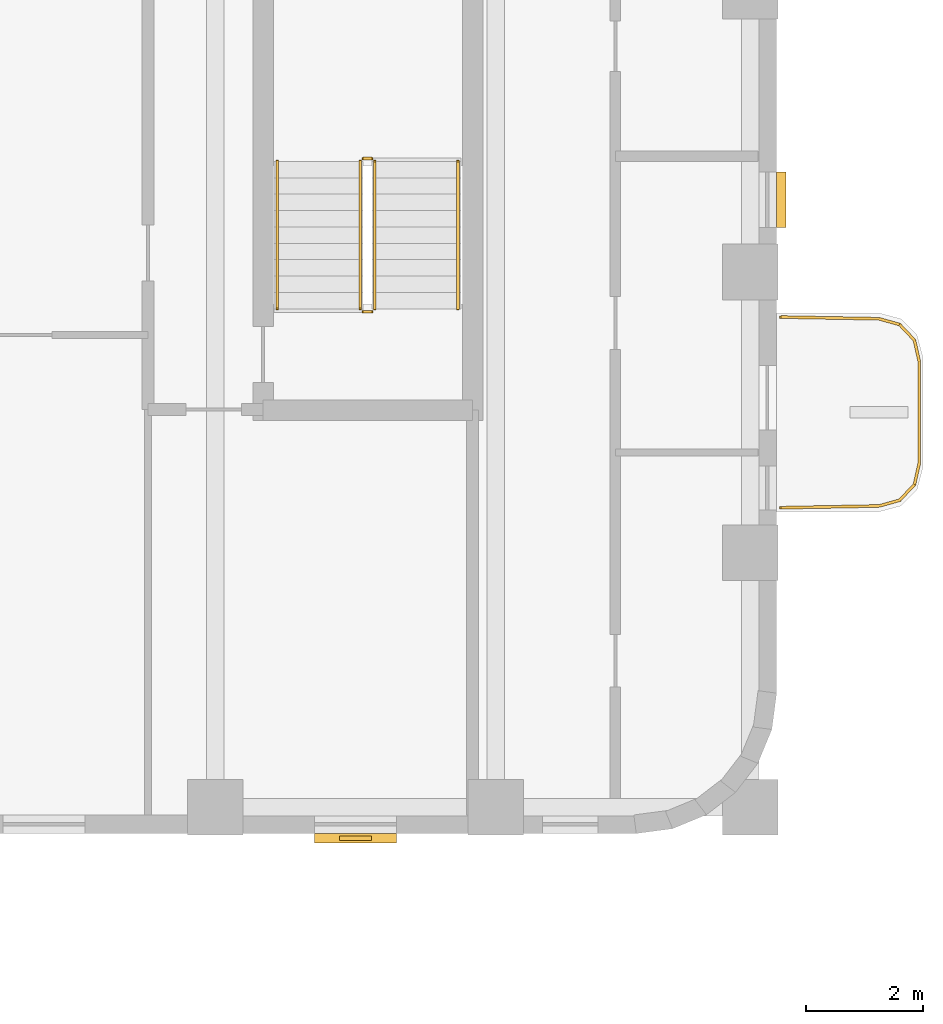
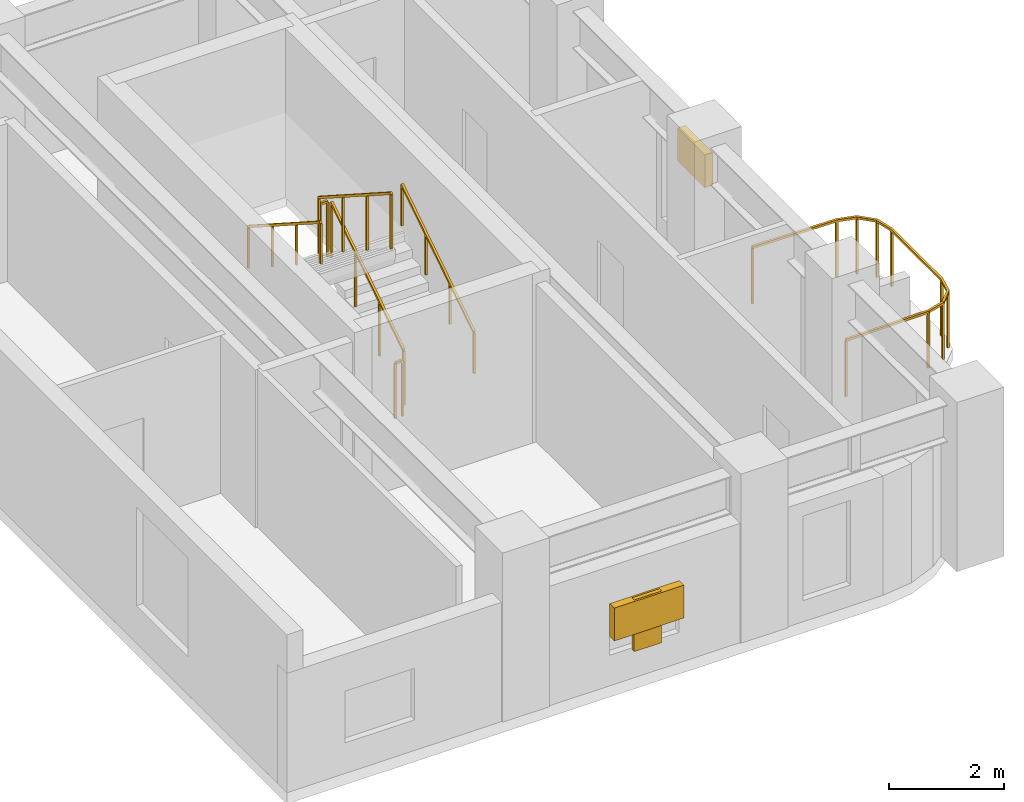
# One storey, part 10 of 11: 7 railings, 3 shading devices.
"""IFC4 building model written with IfcOpenShell, lengths in metres."""

from ifc_helpers import new_model, si_unit, direction, frame, origin, origin_2d, place, context, subcontext, project, spatial, rectangle, extrude, material, type_object, element, save


model = new_model("IFC4")

# Units and contexts
model_context = context("Model", 3, precision=1e-05, world=origin(), true_north=direction((0.0, 1.0)))
body_context = subcontext(model_context, "Body", "Model", "MODEL_VIEW")
ifc_project = project(units=[si_unit("LENGTHUNIT", "METRE"), si_unit("AREAUNIT", "SQUARE_METRE"), si_unit("VOLUMEUNIT", "CUBIC_METRE"), si_unit("PLANEANGLEUNIT", "RADIAN"), si_unit("MASSUNIT", "GRAM", prefix="KILO")], contexts=[model_context])

# Site, building, storey
site_placement = place(None, origin())
site = spatial("IfcSite", under=ifc_project, at=site_placement, CompositionType="ELEMENT")
building_placement = place(site_placement, origin())
building = spatial("IfcBuilding", under=site, at=building_placement, Name="Orvandelia Arch Residences", CompositionType="ELEMENT")
storey_placement = place(building_placement, frame((0.0, 0.0, 157.60009765625)))
storey = spatial("IfcBuildingStorey", under=building, at=storey_placement, Name="L41", CompositionType="ELEMENT", Elevation=157.60009765625)

# Railings
ifc_material_1 = material(Name="Marine-Grade Stainless Steel 316", Category="steel")
railing_type_1 = type_object("IfcRailingType", Name="GRD-BAL-1200", PredefinedType="BALUSTRADE", material=ifc_material_1)
railing_1_placement = place(storey_placement, frame((52.871826171875, 34.36962890625, 0.0)))
element("IfcRailing", 1, at=railing_1_placement, inside=storey, type_object=railing_type_1, Name="Safety Balustrade Guard GRD-L41-BAL-L41-E1-1", PredefinedType="BALUSTRADE", context=body_context, shape_type="SweptSolid", body=[
    extrude(rectangle(XDim=0.048095703125, YDim=0.048095703125, at=origin_2d()), frame((0.0, 0.0, 1.19580078125), z_axis=(0.999837384468, 0.018033430643, 0.0), x_axis=(-0.018033430643, 0.999837384468, 0.0)), (0.0, 0.0, 1.0), 1.6787109375),
    extrude(rectangle(XDim=0.048095703125, YDim=0.048095703125, at=origin_2d()), frame((1.678466796875, 0.0302734375, 1.19580078125), z_axis=(0.96348920644, 0.267747173792, 0.0), x_axis=(-0.267747173792, 0.96348920644, 0.0)), (0.0, 0.0, 1.0), 0.36572265625),
    extrude(rectangle(XDim=0.048095703125, YDim=0.048095703125, at=origin_2d()), frame((2.03076171875, 0.128173828125, 1.19580078125), z_axis=(0.687947031175, 0.725760898848, 0.0), x_axis=(-0.725760898848, 0.687947031175, 0.0)), (0.0, 0.0, 1.0), 0.367919921875),
    extrude(rectangle(XDim=0.048095703125, YDim=0.048095703125, at=origin_2d()), frame((2.283935546875, 0.395263671875, 1.19580078125), z_axis=(0.221225034864, 0.975222786828, 0.0), x_axis=(-0.975222786828, 0.221225034864, 0.0)), (0.0, 0.0, 1.0), 0.373046875),
    extrude(rectangle(XDim=0.048095703125, YDim=0.048095703125, at=origin_2d()), frame((2.366455078125, 0.759033203125, 1.19580078125), z_axis=(0.0, 1.0, 0.0), x_axis=(-1.0, 0.0, 0.0)), (0.0, 0.0, 1.0), 1.74267578125),
    extrude(rectangle(XDim=0.048095703125, YDim=0.048095703125, at=origin_2d()), frame((2.366455078125, 2.501708984375, 1.19580078125), z_axis=(-0.221225034864, 0.975222786828, 0.0), x_axis=(-0.975222786828, -0.221225034864, 0.0)), (0.0, 0.0, 1.0), 0.373046875),
    extrude(rectangle(XDim=0.048095703125, YDim=0.048095703125, at=origin_2d()), frame((2.283935546875, 2.865478515625, 1.19580078125), z_axis=(-0.687947031175, 0.725760898848, 0.0), x_axis=(-0.725760898848, -0.687947031175, 0.0)), (0.0, 0.0, 1.0), 0.367919921875),
    extrude(rectangle(XDim=0.048095703125, YDim=0.048095703125, at=origin_2d()), frame((2.03076171875, 3.132568359375, 1.19580078125), z_axis=(-0.96348920644, 0.267747173792, 0.0), x_axis=(-0.267747173792, -0.96348920644, 0.0)), (0.0, 0.0, 1.0), 0.36572265625),
    extrude(rectangle(XDim=0.048095703125, YDim=0.048095703125, at=origin_2d()), frame((1.678466796875, 3.23046875, 1.19580078125), z_axis=(-0.999837384468, 0.018033430643, 0.0), x_axis=(-0.018033430643, -0.999837384468, 0.0)), (0.0, 0.0, 1.0), 1.6787109375),
    extrude(rectangle(XDim=0.0419921875, YDim=0.0419921875, at=origin_2d()), origin(), (0.0, 0.0, 1.0), 1.171875),
    extrude(rectangle(XDim=0.0419921875, YDim=0.0419921875, at=origin_2d()), frame((1.678466796875, 0.0302734375, 0.0)), (0.0, 0.0, 1.0), 1.171875),
    extrude(rectangle(XDim=0.0419921875, YDim=0.0419921875, at=origin_2d()), frame((2.03076171875, 0.128173828125, 0.0)), (0.0, 0.0, 1.0), 1.171875),
    extrude(rectangle(XDim=0.0419921875, YDim=0.0419921875, at=origin_2d()), frame((2.283935546875, 0.395263671875, 0.0)), (0.0, 0.0, 1.0), 1.171875),
    extrude(rectangle(XDim=0.0419921875, YDim=0.0419921875, at=origin_2d()), frame((2.366455078125, 0.759033203125, 0.0)), (0.0, 0.0, 1.0), 1.171875),
    extrude(rectangle(XDim=0.0419921875, YDim=0.0419921875, at=origin_2d()), frame((2.366455078125, 2.501708984375, 0.0)), (0.0, 0.0, 1.0), 1.171875),
    extrude(rectangle(XDim=0.0419921875, YDim=0.0419921875, at=origin_2d()), frame((2.283935546875, 2.865478515625, 0.0)), (0.0, 0.0, 1.0), 1.171875),
    extrude(rectangle(XDim=0.0419921875, YDim=0.0419921875, at=origin_2d()), frame((2.03076171875, 3.132568359375, 0.0)), (0.0, 0.0, 1.0), 1.171875),
    extrude(rectangle(XDim=0.0419921875, YDim=0.0419921875, at=origin_2d()), frame((1.678466796875, 3.23046875, 0.0)), (0.0, 0.0, 1.0), 1.171875),
    extrude(rectangle(XDim=0.0419921875, YDim=0.0419921875, at=origin_2d()), frame((0.0, 3.2607421875, 0.0)), (0.0, 0.0, 1.0), 1.171875),
])
ifc_material_2 = material(Name="Brushed Stainless Steel 304", Category="steel")
railing_type_2 = type_object("IfcRailingType", Name="RL-STAIR-GD1120", PredefinedType="GUARDRAIL", material=ifc_material_2)
railing_2_placement = place(storey_placement, frame((45.929931640625, 37.77001953125, 0.179931640625)))
element("IfcRailing", 2, at=railing_2_placement, inside=storey, type_object=railing_type_2, Name="L41 ST-3 stair guard 1", PredefinedType="GUARDRAIL", context=body_context, shape_type="SweptSolid", body=[
    extrude(rectangle(XDim=0.048095703125, YDim=0.048095703125, at=origin_2d()), frame((0.0, 0.0, 1.17578125), z_axis=(0.0, 0.841199657755, 0.540724639528), x_axis=(-1.0, 0.0, 0.0)), (0.0, 0.0, 1.0), 2.995849609375),
    extrude(rectangle(XDim=0.0419921875, YDim=0.0419921875, at=origin_2d()), origin(), (0.0, 0.0, 1.0), 1.15185546875),
    extrude(rectangle(XDim=0.0419921875, YDim=0.0419921875, at=origin_2d()), frame((0.0, 0.840087890625, 0.5400390625)), (0.0, 0.0, 1.0), 1.15185546875),
    extrude(rectangle(XDim=0.0419921875, YDim=0.0419921875, at=origin_2d()), frame((0.0, 1.679931640625, 1.079833984375)), (0.0, 0.0, 1.0), 1.15185546875),
    extrude(rectangle(XDim=0.0419921875, YDim=0.0419921875, at=origin_2d()), frame((0.0, 2.52001953125, 1.619873046875)), (0.0, 0.0, 1.0), 1.15185546875),
])
railing_3_placement = place(storey_placement, frame((45.8798828125, 40.340087890625, 1.7998046875)))
element("IfcRailing", 3, at=railing_3_placement, inside=storey, type_object=railing_type_2, Name="L41 ST-3 stair guard 2", PredefinedType="GUARDRAIL", context=body_context, shape_type="SweptSolid", body=[
    extrude(rectangle(XDim=0.048095703125, YDim=0.048095703125, at=origin_2d()), frame((0.0, 0.0, 1.17578125), z_axis=(-1.0, 0.0, 0.0), x_axis=(0.0, -1.0, 0.0)), (0.0, 0.0, 1.0), 0.14990234375),
    extrude(rectangle(XDim=0.0419921875, YDim=0.0419921875, at=origin_2d()), origin(), (0.0, 0.0, 1.0), 1.15185546875),
    extrude(rectangle(XDim=0.0419921875, YDim=0.0419921875, at=origin_2d()), frame((-0.14990234375, 0.0, 0.0)), (0.0, 0.0, 1.0), 1.15185546875),
])
railing_4_placement = place(storey_placement, frame((45.679931640625, 40.2900390625, 1.97998046875)))
element("IfcRailing", 4, at=railing_4_placement, inside=storey, type_object=railing_type_2, Name="L41 ST-3 stair guard 3", PredefinedType="GUARDRAIL", context=body_context, shape_type="SweptSolid", body=[
    extrude(rectangle(XDim=0.048095703125, YDim=0.048095703125, at=origin_2d()), frame((0.0, 0.0, 1.17578125), z_axis=(0.0, -0.841199657755, 0.540724639528), x_axis=(1.0, 0.0, 0.0)), (0.0, 0.0, 1.0), 2.995849609375),
    extrude(rectangle(XDim=0.0419921875, YDim=0.0419921875, at=origin_2d()), origin(), (0.0, 0.0, 1.0), 1.15185546875),
    extrude(rectangle(XDim=0.0419921875, YDim=0.0419921875, at=origin_2d()), frame((0.0, -0.840087890625, 0.5400390625)), (0.0, 0.0, 1.0), 1.15185546875),
    extrude(rectangle(XDim=0.0419921875, YDim=0.0419921875, at=origin_2d()), frame((0.0, -1.679931640625, 1.079833984375)), (0.0, 0.0, 1.0), 1.15185546875),
    extrude(rectangle(XDim=0.0419921875, YDim=0.0419921875, at=origin_2d()), frame((0.0, -2.52001953125, 1.619873046875)), (0.0, 0.0, 1.0), 1.15185546875),
])
railing_5_placement = place(storey_placement, frame((45.8798828125, 37.719970703125, 0.0)))
element("IfcRailing", 5, at=railing_5_placement, inside=storey, type_object=railing_type_2, Name="L41 ST-3 stair guard 4", PredefinedType="GUARDRAIL", context=body_context, shape_type="SweptSolid", body=[
    extrude(rectangle(XDim=0.048095703125, YDim=0.048095703125, at=origin_2d()), frame((0.0, 0.0, 1.17578125), z_axis=(-1.0, 0.0, 0.0), x_axis=(0.0, -1.0, 0.0)), (0.0, 0.0, 1.0), 0.14990234375),
    extrude(rectangle(XDim=0.0419921875, YDim=0.0419921875, at=origin_2d()), origin(), (0.0, 0.0, 1.0), 1.15185546875),
    extrude(rectangle(XDim=0.0419921875, YDim=0.0419921875, at=origin_2d()), frame((-0.14990234375, 0.0, 0.0)), (0.0, 0.0, 1.0), 1.15185546875),
])
railing_type_3 = type_object("IfcRailingType", Name="RL-STAIR-HR920", PredefinedType="HANDRAIL", material=ifc_material_2)
railing_6_placement = place(storey_placement, frame((47.35009765625, 37.77001953125, 0.35986328125)))
element("IfcRailing", 6, at=railing_6_placement, inside=storey, type_object=railing_type_3, Name="L41 ST-3 stair handrail 1", PredefinedType="HANDRAIL", context=body_context, shape_type="SweptSolid", body=[
    extrude(rectangle(XDim=0.048095703125, YDim=0.048095703125, at=origin_2d()), frame((0.0, 0.0, 0.8759765625), z_axis=(0.0, 0.841162588446, 0.540782303519), x_axis=(-1.0, 0.0, 0.0)), (0.0, 0.0, 1.0), 2.995849609375),
    extrude(rectangle(XDim=0.0419921875, YDim=0.0419921875, at=origin_2d()), origin(), (0.0, 0.0, 1.0), 0.851806640625),
    extrude(rectangle(XDim=0.0419921875, YDim=0.0419921875, at=origin_2d()), frame((0.0, 0.840087890625, 0.5400390625)), (0.0, 0.0, 1.0), 0.851806640625),
    extrude(rectangle(XDim=0.0419921875, YDim=0.0419921875, at=origin_2d()), frame((0.0, 1.679931640625, 1.080078125)), (0.0, 0.0, 1.0), 0.851806640625),
    extrude(rectangle(XDim=0.0419921875, YDim=0.0419921875, at=origin_2d()), frame((0.0, 2.52001953125, 1.6201171875)), (0.0, 0.0, 1.0), 0.851806640625),
])
railing_7_placement = place(storey_placement, frame((44.260009765625, 40.2900390625, 2.159912109375)))
element("IfcRailing", 7, at=railing_7_placement, inside=storey, type_object=railing_type_3, Name="L41 ST-3 stair handrail 2", PredefinedType="HANDRAIL", context=body_context, shape_type="SweptSolid", body=[
    extrude(rectangle(XDim=0.048095703125, YDim=0.048095703125, at=origin_2d()), frame((0.0, 0.0, 0.8759765625), z_axis=(0.0, -0.841199657755, 0.540724639528), x_axis=(1.0, 0.0, 0.0)), (0.0, 0.0, 1.0), 2.995849609375),
    extrude(rectangle(XDim=0.0419921875, YDim=0.0419921875, at=origin_2d()), origin(), (0.0, 0.0, 1.0), 0.851806640625),
    extrude(rectangle(XDim=0.0419921875, YDim=0.0419921875, at=origin_2d()), frame((0.0, -0.840087890625, 0.5400390625)), (0.0, 0.0, 1.0), 0.851806640625),
    extrude(rectangle(XDim=0.0419921875, YDim=0.0419921875, at=origin_2d()), frame((0.0, -1.679931640625, 1.079833984375)), (0.0, 0.0, 1.0), 0.851806640625),
    extrude(rectangle(XDim=0.0419921875, YDim=0.0419921875, at=origin_2d()), frame((0.0, -2.52001953125, 1.619873046875)), (0.0, 0.0, 1.0), 0.851806640625),
])

# Shading devices
ifc_material_3 = material(Name="Anodised Champagne-Bronze Extruded Aluminium", Category="aluminium")
shading_device_type_1 = type_object("IfcShadingDeviceType", Name="SHD-JALOUSIE-SCREEN", PredefinedType="JALOUSIE", material=ifc_material_3)
shading_device_1_placement = place(storey_placement, frame((52.8798828125, 39.638916015625, 1.5498046875), z_axis=(0.0, 0.0, 1.0), x_axis=(0.0, -1.0, 0.0)))
element("IfcShadingDevice", 8, at=shading_device_1_placement, inside=storey, type_object=shading_device_type_1, Name="Bronze Jalousie Sun-Shade L41-002", PredefinedType="JALOUSIE", context=body_context, shape_type="SweptSolid", body=[
    extrude(rectangle(XDim=0.949951171875, YDim=0.159912109375, at=origin_2d()), origin(), (0.0, 0.0, 1.0), 0.699951171875),
])
shading_device_2_placement = place(storey_placement, frame((45.60009765625, 28.719970703125, 1.0498046875), z_axis=(0.0, 0.0, 1.0), x_axis=(-1.0, 0.0, 0.0)))
element("IfcShadingDevice", 9, at=shading_device_2_placement, inside=storey, type_object=shading_device_type_1, Name="Bronze Jalousie Sun-Shade L41-003", PredefinedType="JALOUSIE", context=body_context, shape_type="SweptSolid", body=[
    extrude(rectangle(XDim=1.39990234375, YDim=0.159912109375, at=origin_2d()), origin(), (0.0, 0.0, 1.0), 0.699951171875),
])
ifc_material_4 = material(Name="Marine-Grade Perforated Aluminium Storm Shutter", Category="aluminium")
shading_device_type_2 = type_object("IfcShadingDeviceType", Name="SHD-STORM-SHUTTER", PredefinedType="SHUTTER", material=ifc_material_4)
shading_device_3_placement = place(storey_placement, frame((45.60009765625, 28.719970703125, 0.64990234375), z_axis=(0.0, 0.0, 1.0), x_axis=(-1.0, 0.0, 0.0)))
element("IfcShadingDevice", 10, at=shading_device_3_placement, inside=storey, type_object=shading_device_type_2, Name="Operable Typhoon Storm Shutter L41-003", PredefinedType="SHUTTER", context=body_context, shape_type="SweptSolid", body=[
    extrude(rectangle(XDim=0.550048828125, YDim=0.080078125, at=origin_2d()), origin(), (0.0, 0.0, 1.0), 1.10009765625),
])

save(model, "model.ifc")
